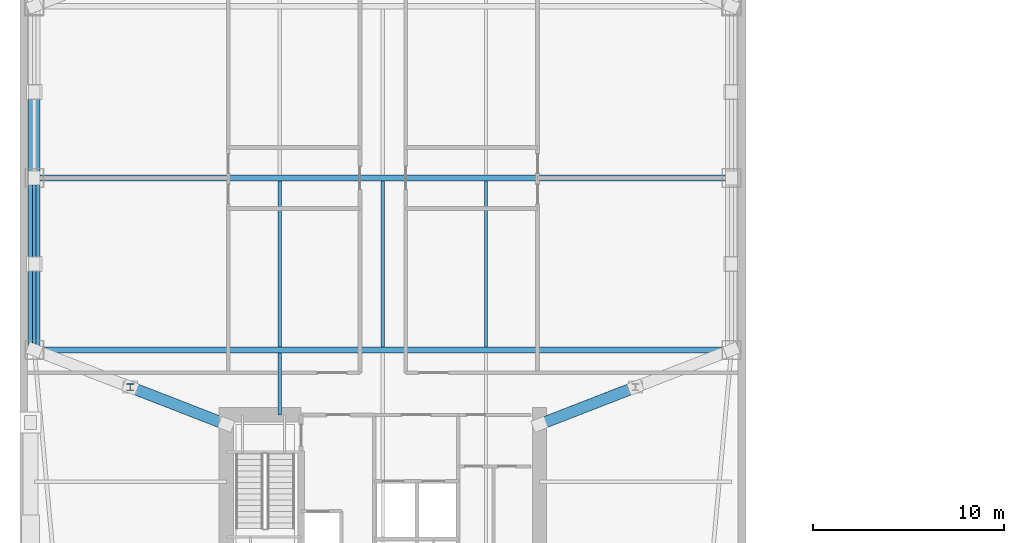
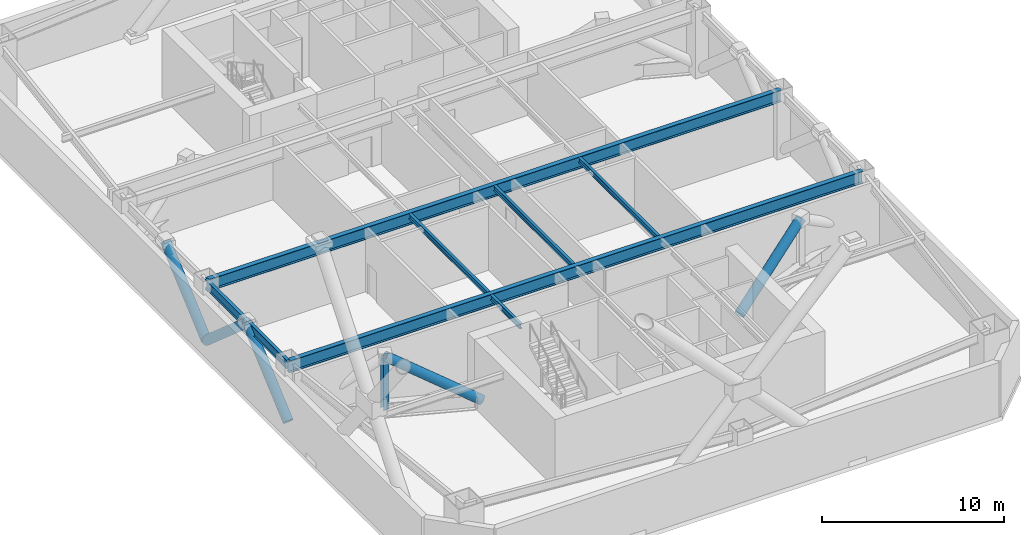
# One storey, part 2 of 19: 7 beams, 6 members.
"""IFC4 building model written with IfcOpenShell, lengths in metres."""

from ifc_helpers import new_model, si_unit, direction, frame, origin, origin_2d, place, context, subcontext, project, spatial, hollow_circle, i_section, extrude, material, material_profile, profile_set, type_object, element, save


model = new_model("IFC4")

# Units and contexts
model_context = context("Model", 3, precision=1e-05, world=origin(), true_north=direction((0.0, 1.0)))
body_context = subcontext(model_context, "Body", "Model", "MODEL_VIEW")
ifc_project = project(units=[si_unit("LENGTHUNIT", "METRE"), si_unit("AREAUNIT", "SQUARE_METRE"), si_unit("VOLUMEUNIT", "CUBIC_METRE"), si_unit("PLANEANGLEUNIT", "RADIAN"), si_unit("MASSUNIT", "GRAM", prefix="KILO")], contexts=[model_context])

# Site, building, storey
site_placement = place(None, origin())
site = spatial("IfcSite", under=ifc_project, at=site_placement, CompositionType="ELEMENT")
building_placement = place(site_placement, origin())
building = spatial("IfcBuilding", under=site, at=building_placement, Name="Qiaolan Cultural Towers", CompositionType="ELEMENT")
storey_placement = place(building_placement, frame((0.0, 0.0, 92.0)))
storey = spatial("IfcBuildingStorey", under=building, at=storey_placement, Name="L23", CompositionType="ELEMENT", Elevation=92.0)

# Beams
ifc_material_1 = material(Name="Steel Q355B", Category="steel")
ifc_material_profile_1 = material_profile(ifc_material_1, i_section(OverallWidth=0.300048828125, OverallDepth=0.800048828125, WebThickness=0.013916015625, FlangeThickness=0.02587890625, at=origin_2d()), Name="HN800x300x14x26")
ifc_profile_set_1 = profile_set([ifc_material_profile_1], Name="Steel Q355B")
beam_type_1 = type_object("IfcBeamType", Name="BM-HN800x300x14x26", PredefinedType="BEAM", material=ifc_profile_set_1)
for number, where, z_axis, x_axis, name in (
    (1, (11.75, 25.0, 3.93994140625), (1.0, 0.0, 0.0), (0.0, 1.0, 0.0), "L23 T1 Primary Transverse Girder V1"),
    (2, (11.75, 34.0, 3.93994140625), (1.0, 0.0, 0.0), (0.0, 1.0, 0.0), "L23 T1 Primary Transverse Girder V2"),
):
    element("IfcBeam", number, at=place(storey_placement, frame(where, z_axis=z_axis, x_axis=x_axis)), inside=storey, type_object=beam_type_1, Name=name, PredefinedType="BEAM", context=body_context, shape_type="SweptSolid", body=[
        extrude(i_section(OverallWidth=0.300048828125, OverallDepth=0.800048828125, WebThickness=0.013916015625, FlangeThickness=0.02587890625, at=origin_2d()), origin(), (0.0, 0.0, 1.0), 36.5),
    ])
ifc_material_2 = material(Name="Steel Q355B", Category="steel")
ifc_material_profile_2 = material_profile(ifc_material_2, i_section(OverallWidth=0.175048828125, OverallDepth=0.35009765625, WebThickness=0.007080078125, FlangeThickness=0.010986328125, at=origin_2d()), Name="HN350x175x7x11")
ifc_profile_set_2 = profile_set([ifc_material_profile_2], Name="Steel Q355B")
beam_type_2 = type_object("IfcBeamType", Name="BM-JST-HN350x175x7x11", PredefinedType="JOIST", material=ifc_profile_set_2)
beam_1_placement = place(storey_placement, frame((24.60009765625, 21.60009765625, 4.1650390625), z_axis=(0.0, 1.0, 0.0), x_axis=(-1.0, 0.0, 0.0)))
element("IfcBeam", 3, at=beam_1_placement, inside=storey, type_object=beam_type_2, Name="L23 T1 Secondary Floor Joist U1-1", PredefinedType="JOIST", context=body_context, shape_type="SweptSolid", body=[
    extrude(i_section(OverallWidth=0.175048828125, OverallDepth=0.35009765625, WebThickness=0.007080078125, FlangeThickness=0.010986328125, at=origin_2d()), origin(), (0.0, 0.0, 1.0), 3.25),
])
for number, where, z_axis, x_axis, name in (
    (4, (24.60009765625, 25.14990234375, 4.1650390625), (0.0, 1.0, 0.0), (-1.0, 0.0, 0.0), "L23 T1 Secondary Floor Joist U1-2"),
    (5, (30.0, 25.14990234375, 4.1650390625), (0.0, 1.0, 0.0), (-1.0, 0.0, 0.0), "L23 T1 Secondary Floor Joist U2-2"),
    (6, (35.39990234375, 25.14990234375, 4.1650390625), (0.0, 1.0, 0.0), (-1.0, 0.0, 0.0), "L23 T1 Secondary Floor Joist U3-2"),
):
    element("IfcBeam", number, at=place(storey_placement, frame(where, z_axis=z_axis, x_axis=x_axis)), inside=storey, type_object=beam_type_2, Name=name, PredefinedType="JOIST", context=body_context, shape_type="SweptSolid", body=[
        extrude(i_section(OverallWidth=0.175048828125, OverallDepth=0.35009765625, WebThickness=0.007080078125, FlangeThickness=0.010986328125, at=origin_2d()), origin(), (0.0, 0.0, 1.0), 8.7001953125),
    ])
ifc_material_3 = material(Name="Steel Q355B", Category="steel")
ifc_material_profile_3 = material_profile(ifc_material_3, i_section(OverallWidth=0.199951171875, OverallDepth=0.60009765625, WebThickness=0.010986328125, FlangeThickness=0.01708984375, at=origin_2d()), Name="HN600x200x11x17")
ifc_profile_set_3 = profile_set([ifc_material_profile_3], Name="Steel Q355B")
beam_type_3 = type_object("IfcBeamType", Name="BM-SPD-HN600x200x11x17", PredefinedType="SPANDREL", material=ifc_profile_set_3)
beam_2_placement = place(storey_placement, frame((11.75, 34.0, 4.0400390625), z_axis=(0.0, -1.0, 0.0), x_axis=(1.0, 0.0, 0.0)))
element("IfcBeam", 7, at=beam_2_placement, inside=storey, type_object=beam_type_3, Name="L23 T1 Perimeter Spandrel Beam 11", PredefinedType="SPANDREL", context=body_context, shape_type="SweptSolid", body=[
    extrude(i_section(OverallWidth=0.199951171875, OverallDepth=0.60009765625, WebThickness=0.010986328125, FlangeThickness=0.01708984375, at=origin_2d()), origin(), (0.0, 0.0, 1.0), 9.0),
])

# Members
ifc_material_4 = material(Name="Steel Q355B", Category="steel")
ifc_material_profile_4 = material_profile(ifc_material_4, hollow_circle(Radius=0.300048828125, WallThickness=0.030029296875, at=origin_2d()), Name="CHS600x30")
ifc_profile_set_4 = profile_set([ifc_material_profile_4], Name="Steel Q355B")
member_type_1 = type_object("IfcMemberType", Name="MBR-BRC-CHS600x30", PredefinedType="BRACE", material=ifc_profile_set_4)
for number, where, z_axis, x_axis, name in (
    (8, (21.800048828125, 21.10009765625, 0.5), (-0.78057195962, 0.302892107151, 0.546775810805), (-0.361757655394, -0.932272169897, 0.0), "L23 T1 Outrigger Truss Diagonal WS-1"),
    (9, (38.199951171875, 21.10009765625, 0.5), (0.78057195962, 0.302892107151, 0.546775810805), (-0.361757655394, 0.932272169897, 0.0), "L23 T1 Outrigger Truss Diagonal ES-1"),
):
    element("IfcMember", number, at=place(storey_placement, frame(where, z_axis=z_axis, x_axis=x_axis)), inside=storey, type_object=member_type_1, Name=name, PredefinedType="BRACE", context=body_context, shape_type="SweptSolid", body=[
        extrude(hollow_circle(Radius=0.300048828125, WallThickness=0.030029296875, at=origin_2d()), origin(), (0.0, 0.0, 1.0), 6.437744140625),
    ])
for number, where, z_axis, x_axis, name in (
    (10, (11.75, 25.0, 0.199951171875), (0.0, 0.754014275447, 0.656858030645), (-1.0, 0.0, 0.0), "L23 T1 Perimeter Belt Truss W1-A"),
    (11, (11.75, 29.5, 4.1201171875), (0.0, 0.754014275447, -0.656858030645), (-1.0, 0.0, 0.0), "L23 T1 Perimeter Belt Truss W1-B"),
    (12, (11.75, 34.0, 0.199951171875), (0.0, 0.754014275447, 0.656858030645), (-1.0, 0.0, 0.0), "L23 T1 Perimeter Belt Truss W2-A"),
):
    element("IfcMember", number, at=place(storey_placement, frame(where, z_axis=z_axis, x_axis=x_axis)), inside=storey, type_object=member_type_1, Name=name, PredefinedType="BRACE", context=body_context, shape_type="SweptSolid", body=[
        extrude(hollow_circle(Radius=0.300048828125, WallThickness=0.030029296875, at=origin_2d()), origin(), (0.0, 0.0, 1.0), 5.968017578125),
    ])
ifc_material_5 = material(Name="Steel Q355B", Category="steel")
ifc_material_profile_5 = material_profile(ifc_material_5, i_section(OverallWidth=0.35009765625, OverallDepth=0.35009765625, WebThickness=0.011962890625, FlangeThickness=0.01904296875, at=origin_2d()), Name="HW350x350x12x19")
ifc_profile_set_5 = profile_set([ifc_material_profile_5], Name="Steel Q355B")
member_type_2 = type_object("IfcMemberType", Name="MBR-POST-HW350x350x12x19", PredefinedType="STUD", material=ifc_profile_set_5)
member_placement = place(storey_placement, frame((16.77490234375, 23.050048828125, 0.5), z_axis=(0.0, 0.0, 1.0), x_axis=(1.0, 0.0, 0.0)))
element("IfcMember", 13, at=member_placement, inside=storey, type_object=member_type_2, Name="L23 T1 Outrigger King Web WS", PredefinedType="STUD", context=body_context, shape_type="SweptSolid", body=[
    extrude(i_section(OverallWidth=0.35009765625, OverallDepth=0.35009765625, WebThickness=0.011962890625, FlangeThickness=0.01904296875, at=origin_2d()), origin(), (0.0, 0.0, 1.0), 3.52001953125),
])

save(model, "model.ifc")
